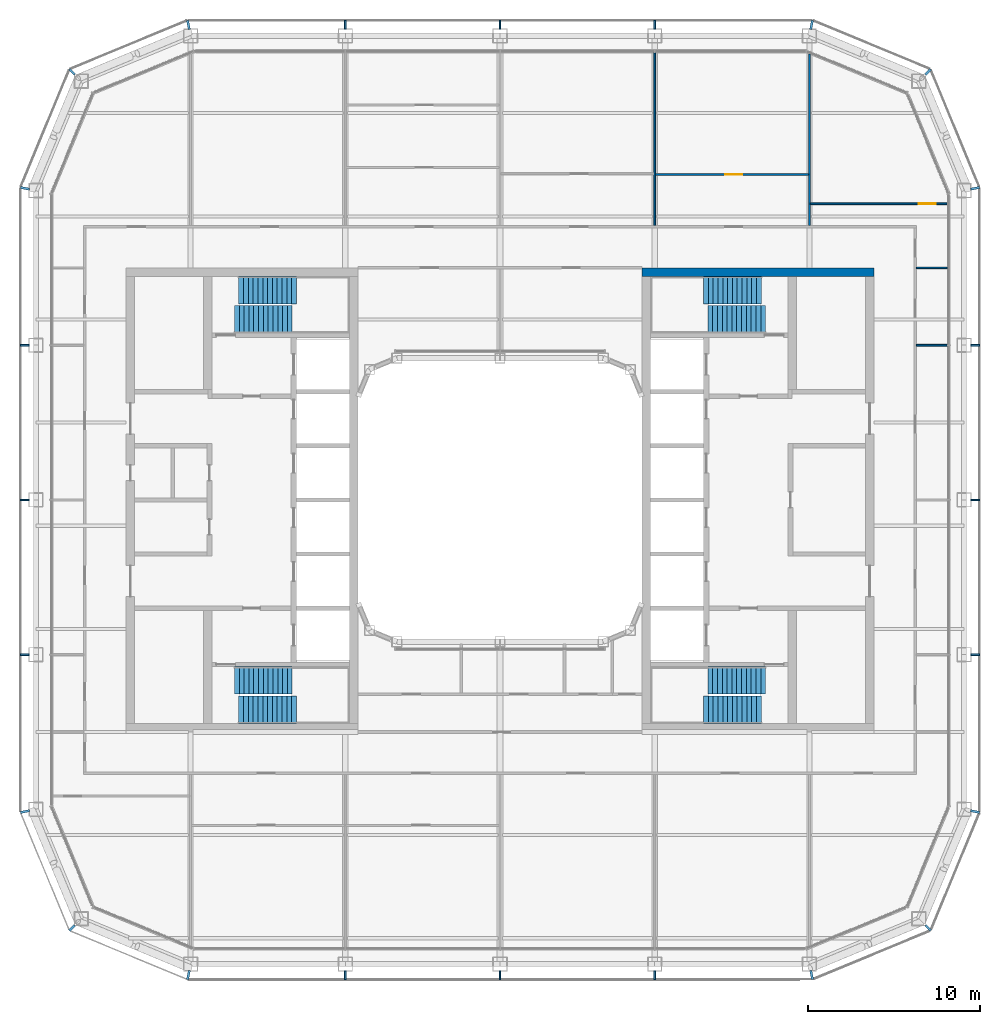
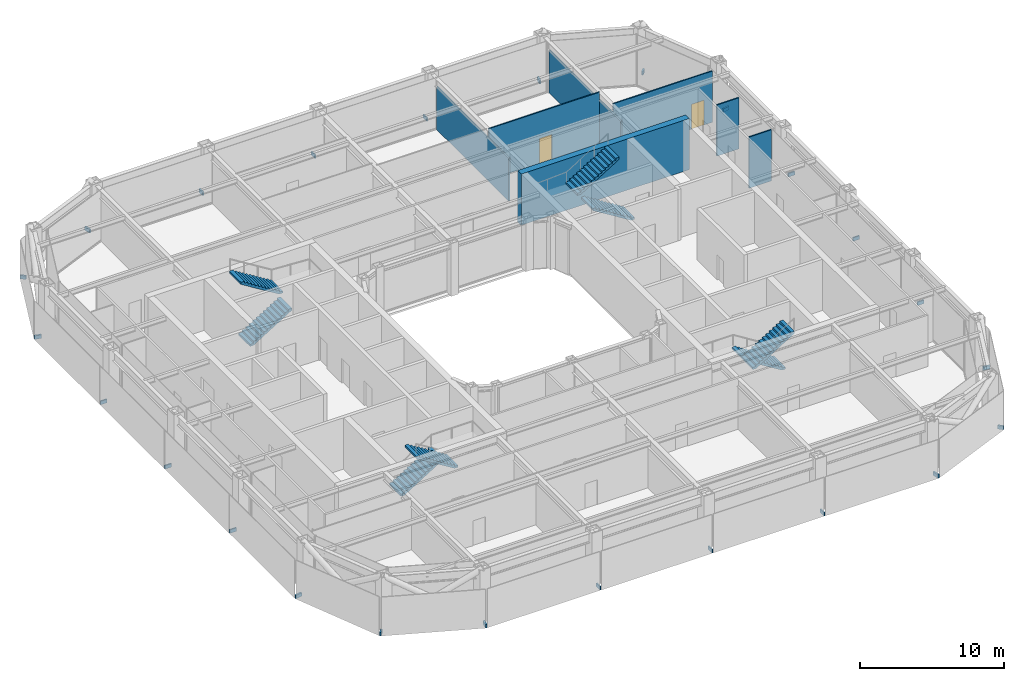
# One storey, part 15 of 19: 24 discrete accessories, 8 stair flights, 7 walls, 2 doors, 2 openings, 4 elements without a shape of their own.
"""IFC4 building model written with IfcOpenShell, lengths in metres."""

from ifc_helpers import new_model, si_unit, direction, frame, frame_2d, origin, origin_2d, place, context, subcontext, project, spatial, polyline, rectangle, outline, extrude, material, layer, layer_set, type_object, element, fill, aggregate, save


model = new_model("IFC4")

# Units and contexts
model_context = context("Model", 3, precision=1e-05, world=origin(), true_north=direction((0.0, 1.0)))
body_context = subcontext(model_context, "Body", "Model", "MODEL_VIEW")
ifc_project = project(units=[si_unit("LENGTHUNIT", "METRE"), si_unit("AREAUNIT", "SQUARE_METRE"), si_unit("VOLUMEUNIT", "CUBIC_METRE"), si_unit("PLANEANGLEUNIT", "RADIAN"), si_unit("MASSUNIT", "GRAM", prefix="KILO")], contexts=[model_context])

# Site, building, storey
site_placement = place(None, origin())
site = spatial("IfcSite", under=ifc_project, at=site_placement, CompositionType="ELEMENT")
building_placement = place(site_placement, origin())
building = spatial("IfcBuilding", under=site, at=building_placement, Name="Siwar Civic Tower", CompositionType="ELEMENT")
storey_placement = place(building_placement, frame((0.0, 0.0, 210.699951171875)))
storey = spatial("IfcBuildingStorey", under=building, at=storey_placement, Name="L45", CompositionType="ELEMENT", Elevation=210.699951171875)

# Walls
ifc_material_1 = material(Name="Concrete C60/75", Category="concrete")
ifc_layer_1 = layer(ifc_material_1, 0.5)
ifc_layer_set_1 = layer_set([ifc_layer_1], Name="Concrete C60/75")
wall_type_1 = type_object("IfcWallType", Name="CORE-WALL-RC500", PredefinedType="SHEAR", material=ifc_layer_set_1)
wall_1_placement = place(storey_placement, frame((8.25, 13.25, 0.0), z_axis=(0.0, 0.0, 1.0), x_axis=(1.0, 0.0, 0.0)))
element("IfcWall", 1, at=wall_1_placement, inside=storey, type_object=wall_type_1, Name="Core wall E", PredefinedType="SHEAR", context=body_context, shape_type="SweptSolid", body=[
    extrude(rectangle(XDim=13.5, YDim=0.5, at=frame_2d((6.75, 0.0))), origin(), (0.0, 0.0, 1.0), 4.35009765625),
])
ifc_material_2 = material(Name="Gypsum board on steel studs", Category="steel")
ifc_layer_2 = layer(ifc_material_2, 0.10009765625)
ifc_layer_set_2 = layer_set([ifc_layer_2], Name="Gypsum board on steel studs")
wall_type_2 = type_object("IfcWallType", Name="PARTITION 100 GYPSUM", PredefinedType="PARTITIONING", material=ifc_layer_set_2)
for number, where, z_axis, x_axis, name in (
    (2, (24.22509765625, 9.0, 0.0), (0.0, 0.0, 1.0), (1.0, 0.0, 0.0), "L45/wall/P14"),
    (3, (24.22509765625, 13.5, 0.0), (0.0, 0.0, 1.0), (1.0, 0.0, 0.0), "L45/wall/P16"),
):
    element("IfcWall", number, at=place(storey_placement, frame(where, z_axis=z_axis, x_axis=x_axis)), inside=storey, type_object=wall_type_2, Name=name, PredefinedType="PARTITIONING", context=body_context, shape_type="SweptSolid", body=[
        extrude(rectangle(XDim=1.784912109375, YDim=0.10009765625, at=frame_2d((0.892578125, 0.0))), origin(), (0.0, 0.0, 1.0), 4.35009765625),
    ])

# Wall, opening, door
wall_2_placement = place(storey_placement, frame((18.050048828125, 17.22802734375, 0.0), z_axis=(0.0, 0.0, 1.0), x_axis=(1.0, 0.0, 0.0)))
wall_2 = element("IfcWall", 4, at=wall_2_placement, inside=storey, type_object=wall_type_2, Name="L45/wall/P19", PredefinedType="PARTITIONING", context=body_context, shape_type="SweptSolid", body=[
    extrude(rectangle(XDim=7.9599609375, YDim=0.10009765625, at=frame_2d((3.97998046875, 0.0))), origin(), (0.0, 0.0, 1.0), 4.35009765625),
])
opening_1_placement = place(wall_2_placement, frame((6.31005859375, 0.0, 0.0)))
opening_1 = element("IfcOpeningElement", 5, at=opening_1_placement, cuts=wall_2, Name="Opening D2", PredefinedType="OPENING", context=body_context, shape_type="SweptSolid", body=[
    extrude(rectangle(XDim=1.0, YDim=2.10009765625, at=frame_2d((0.5, 1.050048828125))), frame((0.0, 0.06005859375, 0.0), z_axis=(0.0, -1.0, 0.0), x_axis=(1.0, 0.0, 0.0)), (0.0, 0.0, 1.0), 0.1201171875),
])
ifc_material_3 = material(Name="Timber, painted", Category="wood")
door_type = type_object("IfcDoorType", Name="DOOR 1000 X 2100", OperationType="SINGLE_SWING_LEFT", PredefinedType="DOOR", material=ifc_material_3)
door_1_placement = place(opening_1_placement, origin())
door_1 = element("IfcDoor", 6, at=door_1_placement, inside=storey, type_object=door_type, Name="L45-D17", OperationType="SINGLE_SWING_LEFT", OverallHeight=2.10009765625, OverallWidth=1.0, PredefinedType="DOOR", context=body_context, shape_type="SweptSolid", body=[
    extrude(rectangle(XDim=1.0, YDim=2.10009765625, at=frame_2d((0.5, 1.050048828125))), frame((0.0, 0.02490234375, 0.0), z_axis=(0.0, -1.0, 0.0), x_axis=(1.0, 0.0, 0.0)), (0.0, 0.0, 1.0), 0.050048828125),
])
fill(opening_1, door_1)

wall_3_placement = place(storey_placement, frame((9.050048828125, 18.93310546875, 0.0), z_axis=(0.0, 0.0, 1.0), x_axis=(1.0, 0.0, 0.0)))
wall_3 = element("IfcWall", 7, at=wall_3_placement, inside=storey, type_object=wall_type_2, Name="L45/wall/P20", PredefinedType="PARTITIONING", context=body_context, shape_type="SweptSolid", body=[
    extrude(rectangle(XDim=8.89990234375, YDim=0.10009765625, at=frame_2d((4.449951171875, 0.0))), origin(), (0.0, 0.0, 1.0), 4.35009765625),
])
opening_2_placement = place(wall_3_placement, frame((4.050048828125, 0.0, 0.0)))
opening_2 = element("IfcOpeningElement", 8, at=opening_2_placement, cuts=wall_3, Name="Opening D2", PredefinedType="OPENING", context=body_context, shape_type="SweptSolid", body=[
    extrude(rectangle(XDim=1.0, YDim=2.10009765625, at=frame_2d((0.5, 1.050048828125))), frame((0.0, 0.06005859375, 0.0), z_axis=(0.0, -1.0, 0.0), x_axis=(1.0, 0.0, 0.0)), (0.0, 0.0, 1.0), 0.1201171875),
])
door_2_placement = place(opening_2_placement, origin())
door_2 = element("IfcDoor", 9, at=door_2_placement, inside=storey, type_object=door_type, Name="L45-D08", OperationType="SINGLE_SWING_RIGHT", OverallHeight=2.10009765625, OverallWidth=1.0, PredefinedType="DOOR", context=body_context, shape_type="SweptSolid", body=[
    extrude(rectangle(XDim=1.0, YDim=2.10009765625, at=frame_2d((0.5, 1.050048828125))), frame((0.0, 0.02490234375, 0.0), z_axis=(0.0, -1.0, 0.0), x_axis=(1.0, 0.0, 0.0)), (0.0, 0.0, 1.0), 0.050048828125),
])
fill(opening_2, door_2)

# Walls
wall_4_placement = place(storey_placement, frame((9.0, 15.97509765625, 0.0), z_axis=(0.0, 0.0, 1.0), x_axis=(0.0, 1.0, 0.0)))
element("IfcWall", 10, at=wall_4_placement, inside=storey, type_object=wall_type_2, Name="L45/wall/P37", PredefinedType="PARTITIONING", context=body_context, shape_type="SweptSolid", body=[
    extrude(rectangle(XDim=10.034912109375, YDim=0.10009765625, at=frame_2d((5.017578125, 0.0))), origin(), (0.0, 0.0, 1.0), 3.650146484375),
])
wall_5_placement = place(storey_placement, frame((18.0, 15.97509765625, 0.0), z_axis=(0.0, 0.0, 1.0), x_axis=(0.0, 1.0, 0.0)))
element("IfcWall", 11, at=wall_5_placement, inside=storey, type_object=wall_type_2, Name="L45/wall/P39", PredefinedType="PARTITIONING", context=body_context, shape_type="SweptSolid", body=[
    extrude(rectangle(XDim=9.952880859375, YDim=0.10009765625, at=frame_2d((4.9765625, 0.0))), origin(), (0.0, 0.0, 1.0), 3.650146484375),
])

# Stair, stair flights
ifc_material_4 = material(Name="Concrete C40/50", Category="concrete")
stair_type = type_object("IfcStairType", Name="CORE-STAIR", PredefinedType="TWO_STRAIGHT_RUN_STAIR", material=ifc_material_4)
stair_1_placement = place(storey_placement, origin())
stair_1 = element("IfcStair", 12, at=stair_1_placement, inside=storey, type_object=stair_type, Name="Exit stair ST1", PredefinedType="TWO_STRAIGHT_RUN_STAIR")
ifc_material_5 = material(Name="Concrete C40/50", Category="concrete")
stair_flight_type = type_object("IfcStairFlightType", Name="CORE-STAIR-FLIGHT", PredefinedType="STRAIGHT", material=ifc_material_5)
stair_flight_1_placement = place(storey_placement, frame((-15.449951171875, 10.5, 0.0), z_axis=(0.0, 0.0, 1.0), x_axis=(1.0, 0.0, 0.0)))
stair_flight_1 = element("IfcStairFlight", 13, at=stair_flight_1_placement, type_object=stair_flight_type, Name="ST1 flight 1", NumberOfRisers=13, NumberOfTreads=12, PredefinedType="STRAIGHT", RiserHeight=0.173076923, TreadLength=0.28, context=body_context, shape_type="SweptSolid", body=[
    extrude(outline(polyline([(0.0, 0.0), (0.0, 0.173095703125), (0.280029296875, 0.173095703125), (0.280029296875, 0.34619140625), (0.56005859375, 0.34619140625), (0.56005859375, 0.519287109375), (0.840087890625, 0.519287109375), (0.840087890625, 0.6923828125), (1.1201171875, 0.6923828125), (1.1201171875, 0.865478515625), (1.39990234375, 0.865478515625), (1.39990234375, 1.03857421875), (1.679931640625, 1.03857421875), (1.679931640625, 1.21142578125), (1.9599609375, 1.21142578125), (1.9599609375, 1.384521484375), (2.239990234375, 1.384521484375), (2.239990234375, 1.5576171875), (2.52001953125, 1.5576171875), (2.52001953125, 1.730712890625), (2.800048828125, 1.730712890625), (2.800048828125, 1.90380859375), (3.080078125, 1.90380859375), (3.080078125, 2.076904296875), (3.360107421875, 2.076904296875), (3.360107421875, 2.25), (3.360107421875, 1.900634765625), (0.28515625, 0.0), (0.0, 0.0)])), frame((0.0, 0.800048828125, 0.0), z_axis=(0.0, -1.0, 0.0), x_axis=(1.0, 0.0, 0.0)), (0.0, 0.0, 1.0), 1.60009765625),
])
stair_flight_2_placement = place(storey_placement, frame((-11.840087890625, 12.199951171875, 2.25), z_axis=(0.0, 0.0, 1.0), x_axis=(-1.0, 0.0, 0.0)))
stair_flight_2 = element("IfcStairFlight", 14, at=stair_flight_2_placement, type_object=stair_flight_type, Name="ST1 flight 2", NumberOfRisers=13, NumberOfTreads=12, PredefinedType="STRAIGHT", RiserHeight=0.173076923, TreadLength=0.28, context=body_context, shape_type="SweptSolid", body=[
    extrude(outline(polyline([(0.0, 0.0), (0.0, 0.173095703125), (0.280029296875, 0.173095703125), (0.280029296875, 0.34619140625), (0.56005859375, 0.34619140625), (0.56005859375, 0.519287109375), (0.840087890625, 0.519287109375), (0.840087890625, 0.6923828125), (1.1201171875, 0.6923828125), (1.1201171875, 0.865478515625), (1.39990234375, 0.865478515625), (1.39990234375, 1.03857421875), (1.679931640625, 1.03857421875), (1.679931640625, 1.21142578125), (1.9599609375, 1.21142578125), (1.9599609375, 1.384521484375), (2.239990234375, 1.384521484375), (2.239990234375, 1.5576171875), (2.52001953125, 1.5576171875), (2.52001953125, 1.730712890625), (2.800048828125, 1.730712890625), (2.800048828125, 1.90380859375), (3.080078125, 1.90380859375), (3.080078125, 2.076904296875), (3.360107421875, 2.076904296875), (3.360107421875, 2.25), (3.360107421875, 1.900634765625), (0.28515625, 0.0), (0.0, 0.0)])), frame((0.0, 0.800048828125, 0.0), z_axis=(0.0, -1.0, 0.0), x_axis=(1.0, 0.0, 0.0)), (0.0, 0.0, 1.0), 1.60009765625),
])
aggregate(stair_1, [stair_flight_1, stair_flight_2])

stair_2_placement = place(storey_placement, origin())
stair_2 = element("IfcStair", 15, at=stair_2_placement, inside=storey, type_object=stair_type, Name="Exit stair ST2", PredefinedType="TWO_STRAIGHT_RUN_STAIR")
stair_flight_3_placement = place(storey_placement, frame((-15.449951171875, -10.5, 0.0), z_axis=(0.0, 0.0, 1.0), x_axis=(1.0, 0.0, 0.0)))
stair_flight_3 = element("IfcStairFlight", 16, at=stair_flight_3_placement, type_object=stair_flight_type, Name="ST2 flight 1", NumberOfRisers=13, NumberOfTreads=12, PredefinedType="STRAIGHT", RiserHeight=0.173076923, TreadLength=0.28, context=body_context, shape_type="SweptSolid", body=[
    extrude(outline(polyline([(0.0, 0.0), (0.0, 0.173095703125), (0.280029296875, 0.173095703125), (0.280029296875, 0.34619140625), (0.56005859375, 0.34619140625), (0.56005859375, 0.519287109375), (0.840087890625, 0.519287109375), (0.840087890625, 0.6923828125), (1.1201171875, 0.6923828125), (1.1201171875, 0.865478515625), (1.39990234375, 0.865478515625), (1.39990234375, 1.03857421875), (1.679931640625, 1.03857421875), (1.679931640625, 1.21142578125), (1.9599609375, 1.21142578125), (1.9599609375, 1.384521484375), (2.239990234375, 1.384521484375), (2.239990234375, 1.5576171875), (2.52001953125, 1.5576171875), (2.52001953125, 1.730712890625), (2.800048828125, 1.730712890625), (2.800048828125, 1.90380859375), (3.080078125, 1.90380859375), (3.080078125, 2.076904296875), (3.360107421875, 2.076904296875), (3.360107421875, 2.25), (3.360107421875, 1.900634765625), (0.28515625, 0.0), (0.0, 0.0)])), frame((0.0, 0.800048828125, 0.0), z_axis=(0.0, -1.0, 0.0), x_axis=(1.0, 0.0, 0.0)), (0.0, 0.0, 1.0), 1.60009765625),
])
stair_flight_4_placement = place(storey_placement, frame((-11.840087890625, -12.199951171875, 2.25), z_axis=(0.0, 0.0, 1.0), x_axis=(-1.0, 0.0, 0.0)))
stair_flight_4 = element("IfcStairFlight", 17, at=stair_flight_4_placement, type_object=stair_flight_type, Name="ST2 flight 2", NumberOfRisers=13, NumberOfTreads=12, PredefinedType="STRAIGHT", RiserHeight=0.173076923, TreadLength=0.28, context=body_context, shape_type="SweptSolid", body=[
    extrude(outline(polyline([(0.0, 0.0), (0.0, 0.173095703125), (0.280029296875, 0.173095703125), (0.280029296875, 0.34619140625), (0.56005859375, 0.34619140625), (0.56005859375, 0.519287109375), (0.840087890625, 0.519287109375), (0.840087890625, 0.6923828125), (1.1201171875, 0.6923828125), (1.1201171875, 0.865478515625), (1.39990234375, 0.865478515625), (1.39990234375, 1.03857421875), (1.679931640625, 1.03857421875), (1.679931640625, 1.21142578125), (1.9599609375, 1.21142578125), (1.9599609375, 1.384521484375), (2.239990234375, 1.384521484375), (2.239990234375, 1.5576171875), (2.52001953125, 1.5576171875), (2.52001953125, 1.730712890625), (2.800048828125, 1.730712890625), (2.800048828125, 1.90380859375), (3.080078125, 1.90380859375), (3.080078125, 2.076904296875), (3.360107421875, 2.076904296875), (3.360107421875, 2.25), (3.360107421875, 1.900634765625), (0.28515625, 0.0), (0.0, 0.0)])), frame((0.0, 0.800048828125, 0.0), z_axis=(0.0, -1.0, 0.0), x_axis=(1.0, 0.0, 0.0)), (0.0, 0.0, 1.0), 1.60009765625),
])
aggregate(stair_2, [stair_flight_3, stair_flight_4])

stair_3_placement = place(storey_placement, origin())
stair_3 = element("IfcStair", 18, at=stair_3_placement, inside=storey, type_object=stair_type, Name="Exit stair ST3", PredefinedType="TWO_STRAIGHT_RUN_STAIR")
stair_flight_5_placement = place(storey_placement, frame((15.449951171875, 10.5, 0.0), z_axis=(0.0, 0.0, 1.0), x_axis=(-1.0, 0.0, 0.0)))
stair_flight_5 = element("IfcStairFlight", 19, at=stair_flight_5_placement, type_object=stair_flight_type, Name="ST3 flight 1", NumberOfRisers=13, NumberOfTreads=12, PredefinedType="STRAIGHT", RiserHeight=0.173076923, TreadLength=0.28, context=body_context, shape_type="SweptSolid", body=[
    extrude(outline(polyline([(0.0, 0.0), (0.0, 0.173095703125), (0.280029296875, 0.173095703125), (0.280029296875, 0.34619140625), (0.56005859375, 0.34619140625), (0.56005859375, 0.519287109375), (0.840087890625, 0.519287109375), (0.840087890625, 0.6923828125), (1.1201171875, 0.6923828125), (1.1201171875, 0.865478515625), (1.39990234375, 0.865478515625), (1.39990234375, 1.03857421875), (1.679931640625, 1.03857421875), (1.679931640625, 1.21142578125), (1.9599609375, 1.21142578125), (1.9599609375, 1.384521484375), (2.239990234375, 1.384521484375), (2.239990234375, 1.5576171875), (2.52001953125, 1.5576171875), (2.52001953125, 1.730712890625), (2.800048828125, 1.730712890625), (2.800048828125, 1.90380859375), (3.080078125, 1.90380859375), (3.080078125, 2.076904296875), (3.360107421875, 2.076904296875), (3.360107421875, 2.25), (3.360107421875, 1.900634765625), (0.28515625, 0.0), (0.0, 0.0)])), frame((0.0, 0.800048828125, 0.0), z_axis=(0.0, -1.0, 0.0), x_axis=(1.0, 0.0, 0.0)), (0.0, 0.0, 1.0), 1.60009765625),
])
stair_flight_6_placement = place(storey_placement, frame((11.840087890625, 12.199951171875, 2.25), z_axis=(0.0, 0.0, 1.0), x_axis=(1.0, 0.0, 0.0)))
stair_flight_6 = element("IfcStairFlight", 20, at=stair_flight_6_placement, type_object=stair_flight_type, Name="ST3 flight 2", NumberOfRisers=13, NumberOfTreads=12, PredefinedType="STRAIGHT", RiserHeight=0.173076923, TreadLength=0.28, context=body_context, shape_type="SweptSolid", body=[
    extrude(outline(polyline([(0.0, 0.0), (0.0, 0.173095703125), (0.280029296875, 0.173095703125), (0.280029296875, 0.34619140625), (0.56005859375, 0.34619140625), (0.56005859375, 0.519287109375), (0.840087890625, 0.519287109375), (0.840087890625, 0.6923828125), (1.1201171875, 0.6923828125), (1.1201171875, 0.865478515625), (1.39990234375, 0.865478515625), (1.39990234375, 1.03857421875), (1.679931640625, 1.03857421875), (1.679931640625, 1.21142578125), (1.9599609375, 1.21142578125), (1.9599609375, 1.384521484375), (2.239990234375, 1.384521484375), (2.239990234375, 1.5576171875), (2.52001953125, 1.5576171875), (2.52001953125, 1.730712890625), (2.800048828125, 1.730712890625), (2.800048828125, 1.90380859375), (3.080078125, 1.90380859375), (3.080078125, 2.076904296875), (3.360107421875, 2.076904296875), (3.360107421875, 2.25), (3.360107421875, 1.900634765625), (0.28515625, 0.0), (0.0, 0.0)])), frame((0.0, 0.800048828125, 0.0), z_axis=(0.0, -1.0, 0.0), x_axis=(1.0, 0.0, 0.0)), (0.0, 0.0, 1.0), 1.60009765625),
])
aggregate(stair_3, [stair_flight_5, stair_flight_6])

stair_4_placement = place(storey_placement, origin())
stair_4 = element("IfcStair", 21, at=stair_4_placement, inside=storey, type_object=stair_type, Name="Exit stair ST4", PredefinedType="TWO_STRAIGHT_RUN_STAIR")
stair_flight_7_placement = place(storey_placement, frame((15.449951171875, -10.5, 0.0), z_axis=(0.0, 0.0, 1.0), x_axis=(-1.0, 0.0, 0.0)))
stair_flight_7 = element("IfcStairFlight", 22, at=stair_flight_7_placement, type_object=stair_flight_type, Name="ST4 flight 1", NumberOfRisers=13, NumberOfTreads=12, PredefinedType="STRAIGHT", RiserHeight=0.173076923, TreadLength=0.28, context=body_context, shape_type="SweptSolid", body=[
    extrude(outline(polyline([(0.0, 0.0), (0.0, 0.173095703125), (0.280029296875, 0.173095703125), (0.280029296875, 0.34619140625), (0.56005859375, 0.34619140625), (0.56005859375, 0.519287109375), (0.840087890625, 0.519287109375), (0.840087890625, 0.6923828125), (1.1201171875, 0.6923828125), (1.1201171875, 0.865478515625), (1.39990234375, 0.865478515625), (1.39990234375, 1.03857421875), (1.679931640625, 1.03857421875), (1.679931640625, 1.21142578125), (1.9599609375, 1.21142578125), (1.9599609375, 1.384521484375), (2.239990234375, 1.384521484375), (2.239990234375, 1.5576171875), (2.52001953125, 1.5576171875), (2.52001953125, 1.730712890625), (2.800048828125, 1.730712890625), (2.800048828125, 1.90380859375), (3.080078125, 1.90380859375), (3.080078125, 2.076904296875), (3.360107421875, 2.076904296875), (3.360107421875, 2.25), (3.360107421875, 1.900634765625), (0.28515625, 0.0), (0.0, 0.0)])), frame((0.0, 0.800048828125, 0.0), z_axis=(0.0, -1.0, 0.0), x_axis=(1.0, 0.0, 0.0)), (0.0, 0.0, 1.0), 1.60009765625),
])
stair_flight_8_placement = place(storey_placement, frame((11.840087890625, -12.199951171875, 2.25), z_axis=(0.0, 0.0, 1.0), x_axis=(1.0, 0.0, 0.0)))
stair_flight_8 = element("IfcStairFlight", 23, at=stair_flight_8_placement, type_object=stair_flight_type, Name="ST4 flight 2", NumberOfRisers=13, NumberOfTreads=12, PredefinedType="STRAIGHT", RiserHeight=0.173076923, TreadLength=0.28, context=body_context, shape_type="SweptSolid", body=[
    extrude(outline(polyline([(0.0, 0.0), (0.0, 0.173095703125), (0.280029296875, 0.173095703125), (0.280029296875, 0.34619140625), (0.56005859375, 0.34619140625), (0.56005859375, 0.519287109375), (0.840087890625, 0.519287109375), (0.840087890625, 0.6923828125), (1.1201171875, 0.6923828125), (1.1201171875, 0.865478515625), (1.39990234375, 0.865478515625), (1.39990234375, 1.03857421875), (1.679931640625, 1.03857421875), (1.679931640625, 1.21142578125), (1.9599609375, 1.21142578125), (1.9599609375, 1.384521484375), (2.239990234375, 1.384521484375), (2.239990234375, 1.5576171875), (2.52001953125, 1.5576171875), (2.52001953125, 1.730712890625), (2.800048828125, 1.730712890625), (2.800048828125, 1.90380859375), (3.080078125, 1.90380859375), (3.080078125, 2.076904296875), (3.360107421875, 2.076904296875), (3.360107421875, 2.25), (3.360107421875, 1.900634765625), (0.28515625, 0.0), (0.0, 0.0)])), frame((0.0, 0.800048828125, 0.0), z_axis=(0.0, -1.0, 0.0), x_axis=(1.0, 0.0, 0.0)), (0.0, 0.0, 1.0), 1.60009765625),
])
aggregate(stair_4, [stair_flight_7, stair_flight_8])

# Discrete accessories
ifc_material_6 = material(Name="Stainless steel 316", Category="steel")
discrete_accessory_type = type_object("IfcDiscreteAccessoryType", Name="ENV-BRACKET", PredefinedType="BRACKET", material=ifc_material_6)
for number, where, z_axis, x_axis, name in (
    (24, (27.639892578125, -9.0, -0.14990234375), (0.0, 0.0, 1.0), (1.0, 0.0, 0.0), "Bracket outer skin joint E-01"),
    (25, (27.639892578125, 0.0, -0.14990234375), (0.0, 0.0, 1.0), (1.0, 0.0, 0.0), "Bracket outer skin joint E-02"),
    (26, (27.639892578125, 9.0, -0.14990234375), (0.0, 0.0, 1.0), (1.0, 0.0, 0.0), "Bracket outer skin joint E-03"),
    (27, (9.0, 27.639892578125, -0.14990234375), (0.0, 0.0, 1.0), (0.0, 1.0, 0.0), "Bracket outer skin joint N-01"),
    (28, (0.0, 27.639892578125, -0.14990234375), (0.0, 0.0, 1.0), (0.0, 1.0, 0.0), "Bracket outer skin joint N-02"),
    (29, (-9.0, 27.639892578125, -0.14990234375), (0.0, 0.0, 1.0), (0.0, 1.0, 0.0), "Bracket outer skin joint N-03"),
    (30, (-9.0, -27.639892578125, -0.14990234375), (0.0, 0.0, 1.0), (0.0, -1.0, 0.0), "Bracket outer skin joint S-01"),
    (31, (0.0, -27.639892578125, -0.14990234375), (0.0, 0.0, 1.0), (0.0, -1.0, 0.0), "Bracket outer skin joint S-02"),
    (32, (9.0, -27.639892578125, -0.14990234375), (0.0, 0.0, 1.0), (0.0, -1.0, 0.0), "Bracket outer skin joint S-03"),
):
    element("IfcDiscreteAccessory", number, at=place(storey_placement, frame(where, z_axis=z_axis, x_axis=x_axis)), inside=storey, type_object=discrete_accessory_type, Name=name, PredefinedType="BRACKET", context=body_context, shape_type="SweptSolid", body=[
        extrude(rectangle(XDim=0.52001953125, YDim=0.10009765625, at=origin_2d()), origin(), (0.0, 0.0, 1.0), 0.300048828125),
    ])
for number, where, z_axis, x_axis, name in (
    (33, (-18.12744140625, -27.64013671875, -0.14990234375), (0.0, 0.0, 1.0), (-0.195090322016, -0.980785280403, 0.0), "Bracket outer skin joint V00"),
    (34, (18.12744140625, -27.64013671875, -0.14990234375), (0.0, 0.0, 1.0), (0.195090322016, -0.980785280403, 0.0), "Bracket outer skin joint V01"),
):
    element("IfcDiscreteAccessory", number, at=place(storey_placement, frame(where, z_axis=z_axis, x_axis=x_axis)), inside=storey, type_object=discrete_accessory_type, Name=name, PredefinedType="BRACKET", context=body_context, shape_type="SweptSolid", body=[
        extrude(rectangle(XDim=0.52978515625, YDim=0.13720703125, at=origin_2d()), origin(), (0.0, 0.0, 1.0), 0.300048828125),
    ])
discrete_accessory_1_placement = place(storey_placement, frame((24.9013671875, -24.9013671875, -0.14990234375), z_axis=(0.0, 0.0, 1.0), x_axis=(0.707106781187, -0.707106781187, 0.0)))
element("IfcDiscreteAccessory", 35, at=discrete_accessory_1_placement, inside=storey, type_object=discrete_accessory_type, Name="Bracket outer skin joint V02", PredefinedType="BRACKET", context=body_context, shape_type="SweptSolid", body=[
    extrude(rectangle(XDim=0.428466796875, YDim=0.12939453125, at=origin_2d()), origin(), (0.0, 0.0, 1.0), 0.300048828125),
])
for number, where, z_axis, x_axis, name in (
    (36, (27.64013671875, -18.12744140625, -0.14990234375), (0.0, 0.0, 1.0), (0.980785280403, -0.195090322016, 0.0), "Bracket outer skin joint V03"),
    (37, (27.64013671875, 18.12744140625, -0.14990234375), (0.0, 0.0, 1.0), (0.980785280403, 0.195090322016, 0.0), "Bracket outer skin joint V04"),
):
    element("IfcDiscreteAccessory", number, at=place(storey_placement, frame(where, z_axis=z_axis, x_axis=x_axis)), inside=storey, type_object=discrete_accessory_type, Name=name, PredefinedType="BRACKET", context=body_context, shape_type="SweptSolid", body=[
        extrude(rectangle(XDim=0.52978515625, YDim=0.13720703125, at=origin_2d()), origin(), (0.0, 0.0, 1.0), 0.300048828125),
    ])
discrete_accessory_2_placement = place(storey_placement, frame((24.9013671875, 24.9013671875, -0.14990234375), z_axis=(0.0, 0.0, 1.0), x_axis=(0.707106781187, 0.707106781187, 0.0)))
element("IfcDiscreteAccessory", 38, at=discrete_accessory_2_placement, inside=storey, type_object=discrete_accessory_type, Name="Bracket outer skin joint V05", PredefinedType="BRACKET", context=body_context, shape_type="SweptSolid", body=[
    extrude(rectangle(XDim=0.428466796875, YDim=0.12939453125, at=origin_2d()), origin(), (0.0, 0.0, 1.0), 0.300048828125),
])
for number, where, z_axis, x_axis, name in (
    (39, (18.12744140625, 27.64013671875, -0.14990234375), (0.0, 0.0, 1.0), (0.195090322016, 0.980785280403, 0.0), "Bracket outer skin joint V06"),
    (40, (-18.12744140625, 27.64013671875, -0.14990234375), (0.0, 0.0, 1.0), (-0.195090322016, 0.980785280403, 0.0), "Bracket outer skin joint V07"),
):
    element("IfcDiscreteAccessory", number, at=place(storey_placement, frame(where, z_axis=z_axis, x_axis=x_axis)), inside=storey, type_object=discrete_accessory_type, Name=name, PredefinedType="BRACKET", context=body_context, shape_type="SweptSolid", body=[
        extrude(rectangle(XDim=0.52978515625, YDim=0.13720703125, at=origin_2d()), origin(), (0.0, 0.0, 1.0), 0.300048828125),
    ])
discrete_accessory_3_placement = place(storey_placement, frame((-24.9013671875, 24.9013671875, -0.14990234375), z_axis=(0.0, 0.0, 1.0), x_axis=(-0.707106781187, 0.707106781187, 0.0)))
element("IfcDiscreteAccessory", 41, at=discrete_accessory_3_placement, inside=storey, type_object=discrete_accessory_type, Name="Bracket outer skin joint V08", PredefinedType="BRACKET", context=body_context, shape_type="SweptSolid", body=[
    extrude(rectangle(XDim=0.428466796875, YDim=0.12939453125, at=origin_2d()), origin(), (0.0, 0.0, 1.0), 0.300048828125),
])
for number, where, z_axis, x_axis, name in (
    (42, (-27.64013671875, 18.12744140625, -0.14990234375), (0.0, 0.0, 1.0), (-0.980785280403, 0.195090322016, 0.0), "Bracket outer skin joint V09"),
    (43, (-27.64013671875, -18.12744140625, -0.14990234375), (0.0, 0.0, 1.0), (-0.980785280403, -0.195090322016, 0.0), "Bracket outer skin joint V10"),
):
    element("IfcDiscreteAccessory", number, at=place(storey_placement, frame(where, z_axis=z_axis, x_axis=x_axis)), inside=storey, type_object=discrete_accessory_type, Name=name, PredefinedType="BRACKET", context=body_context, shape_type="SweptSolid", body=[
        extrude(rectangle(XDim=0.52978515625, YDim=0.13720703125, at=origin_2d()), origin(), (0.0, 0.0, 1.0), 0.300048828125),
    ])
discrete_accessory_4_placement = place(storey_placement, frame((-24.9013671875, -24.9013671875, -0.14990234375), z_axis=(0.0, 0.0, 1.0), x_axis=(-0.707106781187, -0.707106781187, 0.0)))
element("IfcDiscreteAccessory", 44, at=discrete_accessory_4_placement, inside=storey, type_object=discrete_accessory_type, Name="Bracket outer skin joint V11", PredefinedType="BRACKET", context=body_context, shape_type="SweptSolid", body=[
    extrude(rectangle(XDim=0.428466796875, YDim=0.12939453125, at=origin_2d()), origin(), (0.0, 0.0, 1.0), 0.300048828125),
])
for number, where, z_axis, x_axis, name in (
    (45, (-27.639892578125, 9.0, -0.14990234375), (0.0, 0.0, 1.0), (-1.0, 0.0, 0.0), "Bracket outer skin joint W-01"),
    (46, (-27.639892578125, 0.0, -0.14990234375), (0.0, 0.0, 1.0), (-1.0, 0.0, 0.0), "Bracket outer skin joint W-02"),
    (47, (-27.639892578125, -9.0, -0.14990234375), (0.0, 0.0, 1.0), (-1.0, 0.0, 0.0), "Bracket outer skin joint W-03"),
):
    element("IfcDiscreteAccessory", number, at=place(storey_placement, frame(where, z_axis=z_axis, x_axis=x_axis)), inside=storey, type_object=discrete_accessory_type, Name=name, PredefinedType="BRACKET", context=body_context, shape_type="SweptSolid", body=[
        extrude(rectangle(XDim=0.52001953125, YDim=0.10009765625, at=origin_2d()), origin(), (0.0, 0.0, 1.0), 0.300048828125),
    ])

save(model, "model.ifc")
